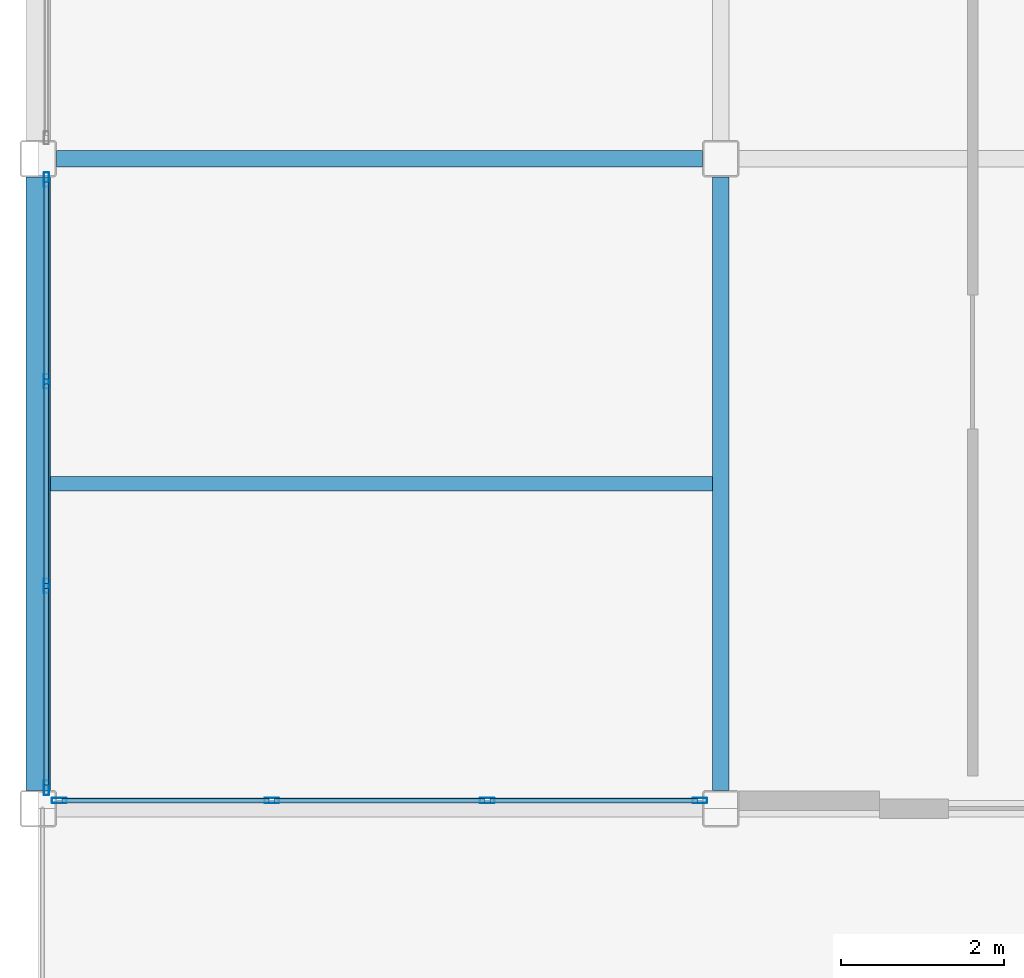
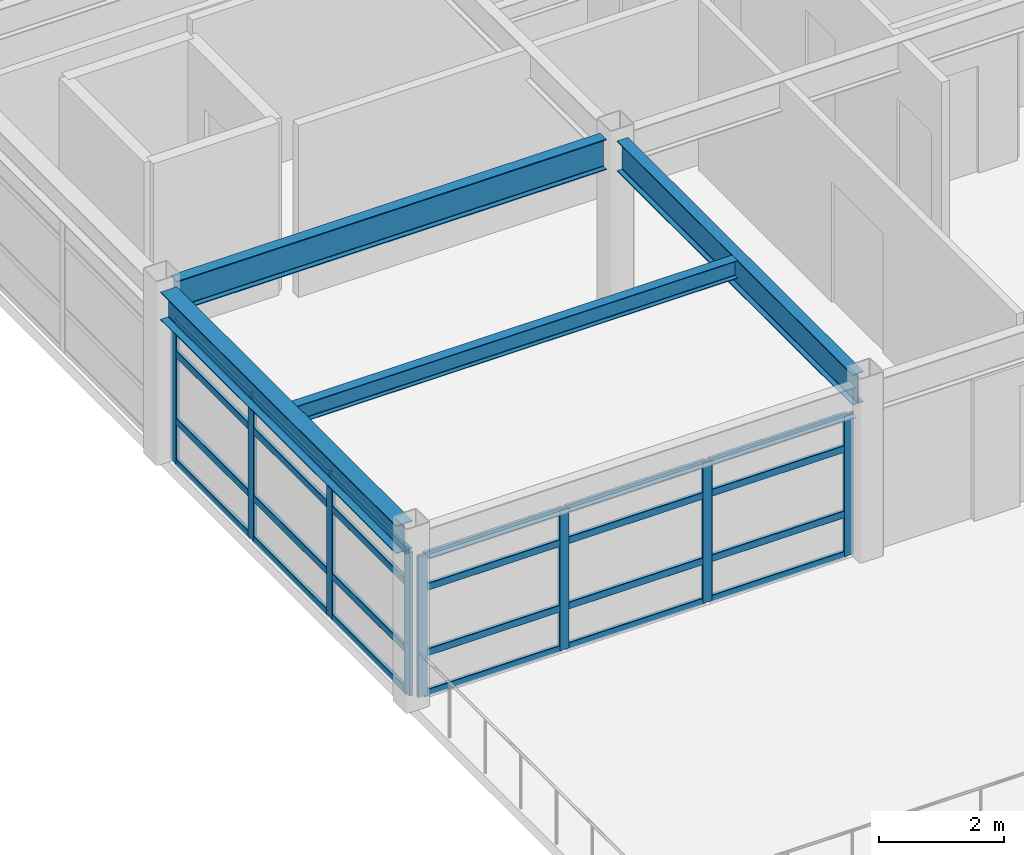
# One storey, part 4 of 28: 32 members, 4 beams, 2 elements without a shape of their own.
"""IFC4 building model written with IfcOpenShell, lengths in metres."""

import ifcopenshell
import ifcopenshell.guid

model = None  # the IFC model being written
_history = None  # IfcOwnerHistory: only IFC2X3 demands one
_inside = {}  # id of a spatial element -> (the spatial element, [elements in it])
_under = {}  # id of a project, library or spatial element -> (it, [spatial elements below it])
_declared = {}  # id of a project -> (the project, [libraries it declares])
_typed = {}  # id of a type object -> (the type object, [elements of that type])
_made_of = {}  # id of a material, layer set ... -> (it, [elements and type objects made of it])


def new_model(schema):
    """Start an empty IFC model of exactly this schema.

    Asked for "IFC4X3", IfcOpenShell would pick the latest addendum, in which some entities
    have other attributes; the version numbers below select the first issue.
    IFC2X3 requires an IfcOwnerHistory on every rooted entity: one is made here for all.
    """
    global model, _history
    if schema == "IFC4X3":
        model = ifcopenshell.file(schema_version=(4, 3, 0, 0))
    else:
        model = ifcopenshell.file(schema=schema)
    _inside.clear()
    _under.clear()
    _declared.clear()
    _typed.clear()
    _made_of.clear()
    _history = None
    if model.schema == "IFC2X3":
        org = make("IfcOrganization", Name="unknown")
        user = make(
            "IfcPersonAndOrganization",
            ThePerson=make("IfcPerson", FamilyName="unknown"),
            TheOrganization=org,
        )
        app = make(
            "IfcApplication",
            ApplicationDeveloper=org,
            Version="unknown",
            ApplicationFullName="unknown",
            ApplicationIdentifier="unknown",
        )
        _history = make(
            "IfcOwnerHistory",
            OwningUser=user,
            OwningApplication=app,
            ChangeAction="ADDED",
            CreationDate=0,
        )
    return model


def make(cls, **values):
    """One entity of the class cls with the attributes given. An attribute that is None is left unset."""
    return model.create_entity(
        cls, **{name: value for name, value in values.items() if value is not None}
    )


def rooted(cls, **values):
    """An entity with a GlobalId (a new one), such as an element, a storey or a relation."""
    return make(cls, GlobalId=ifcopenshell.guid.new(), OwnerHistory=_history, **values)


def si_unit(unit_type, name, prefix=None):
    """IfcSIUnit, for example si_unit("LENGTHUNIT", "METRE", prefix="MILLI")."""
    return make("IfcSIUnit", UnitType=unit_type, Prefix=prefix, Name=name)


def assignment(units):
    """IfcUnitAssignment: the units of a project."""
    return None if units is None else make("IfcUnitAssignment", Units=units)


def point(xyz):
    """IfcCartesianPoint."""
    return None if xyz is None else make("IfcCartesianPoint", Coordinates=xyz)


def direction(xyz):
    """IfcDirection."""
    return None if xyz is None else make("IfcDirection", DirectionRatios=xyz)


def frame(location, z_axis=None, x_axis=None):
    """IfcAxis2Placement3D, a coordinate frame: its origin and axes. An axis left out is left unset."""
    return make(
        "IfcAxis2Placement3D",
        Location=point(location),
        Axis=direction(z_axis),
        RefDirection=direction(x_axis),
    )


def frame_2d(location, x_axis=None):
    """IfcAxis2Placement2D, a coordinate frame in the plane: its origin and x axis."""
    return make(
        "IfcAxis2Placement2D", Location=point(location), RefDirection=direction(x_axis)
    )


def origin():
    """The frame at (0, 0, 0) with its axes left unset."""
    return frame((0.0, 0.0, 0.0))


def origin_2d():
    """The frame at (0, 0) in the plane with its x axis left unset."""
    return frame_2d((0.0, 0.0))


def place(relative_to, where):
    """IfcLocalPlacement: puts the frame where relative to a parent placement (None: the world)."""
    return make(
        "IfcLocalPlacement", PlacementRelTo=relative_to, RelativePlacement=where
    )


def context(
    kind, dimensions, precision=None, world=None, true_north=None, identifier=None
):
    """IfcGeometricRepresentationContext, for example the 3D "Model" context."""
    return make(
        "IfcGeometricRepresentationContext",
        ContextIdentifier=identifier,
        ContextType=kind,
        CoordinateSpaceDimension=dimensions,
        Precision=precision,
        WorldCoordinateSystem=world,
        TrueNorth=true_north,
    )


def subcontext(parent, identifier, kind, view, scale=None):
    """IfcGeometricRepresentationSubContext, for example "Body" below "Model"."""
    return make(
        "IfcGeometricRepresentationSubContext",
        ContextIdentifier=identifier,
        ContextType=kind,
        ParentContext=parent,
        TargetScale=scale,
        TargetView=view,
    )


def project(units=None, contexts=None):
    """IfcProject with its units and contexts."""
    return rooted(
        "IfcProject",
        Name="project",
        RepresentationContexts=contexts,
        UnitsInContext=assignment(units),
    )


def spatial(cls, under=None, at=None, **own):
    """A site, building, storey or space (cls), placed at a placement, below another one or the project."""
    s = rooted(cls, ObjectPlacement=at, **own)
    if under is not None:
        _under.setdefault(under.id(), (under, []))[1].append(s)
    return s


def profile(cls, at=None, kind="AREA", **sizes):
    """A parametric profile (cls). Its sizes go by their IFC names, for example OverallWidth=200.0."""
    return make(cls, ProfileType=kind, Position=at, **sizes)


def hollow_rectangle(**sizes):
    """IfcRectangleHollowProfileDef."""
    return profile("IfcRectangleHollowProfileDef", **sizes)


def i_section(**sizes):
    """IfcIShapeProfileDef."""
    return profile("IfcIShapeProfileDef", **sizes)


def extrude(swept, where, along, depth):
    """IfcExtrudedAreaSolid: the profile swept, set in the frame where, extruded along a direction by depth."""
    return make(
        "IfcExtrudedAreaSolid",
        SweptArea=swept,
        Position=where,
        ExtrudedDirection=direction(along),
        Depth=depth,
    )


def shape(context_of_items, identifier, shape_type, items):
    """IfcShapeRepresentation: the items that make up one representation, for example the "Body"."""
    return make(
        "IfcShapeRepresentation",
        ContextOfItems=context_of_items,
        RepresentationIdentifier=identifier,
        RepresentationType=shape_type,
        Items=items,
    )


def material(Name=None, Category=None):
    """IfcMaterial."""
    return make("IfcMaterial", Name=Name, Category=Category)


def layer(
    of_material, thickness, ventilated=None, Name=None, Category=None, Priority=None
):
    """IfcMaterialLayer: one layer of a wall or slab, of a material (None: an air gap)."""
    return make(
        "IfcMaterialLayer",
        Material=of_material,
        LayerThickness=thickness,
        IsVentilated=ventilated,
        Name=Name,
        Category=Category,
        Priority=Priority,
    )


def layer_set(layers, Name=None):
    """IfcMaterialLayerSet."""
    return make("IfcMaterialLayerSet", MaterialLayers=layers, LayerSetName=Name)


def material_profile(
    of_material, cross_section, Name=None, Category=None, Priority=None
):
    """IfcMaterialProfile: a cross section and its material."""
    return make(
        "IfcMaterialProfile",
        Name=Name,
        Material=of_material,
        Profile=cross_section,
        Priority=Priority,
        Category=Category,
    )


def profile_set(profiles, Name=None, composite=None):
    """IfcMaterialProfileSet."""
    return make(
        "IfcMaterialProfileSet",
        Name=Name,
        MaterialProfiles=profiles,
        CompositeProfile=composite,
    )


def made_of(thing, what):
    """Note that an element or type object is made of a material, layer set ...; save() writes the relation."""
    if what is not None:
        _made_of.setdefault(what.id(), (what, []))[1].append(thing)
    return thing


def type_object(cls, material=None, **own):
    """A type object (cls), such as IfcWallType, which elements share."""
    return made_of(rooted(cls, **own), material)


def element(
    cls,
    number,
    at=None,
    inside=None,
    cuts=None,
    type_object=None,
    material=None,
    context=None,
    identifier="Body",
    shape_type=None,
    held_by="IfcProductDefinitionShape",
    body=None,
    shapes=None,
    **own,
):
    """One element of the class cls, such as IfcWall. Its Tag is "e" and its number.

    at: its placement. inside: the storey or other place that contains it. cuts: it is an
    opening in that element (IfcRelVoidsElement). A single representation is given by context,
    identifier, shape_type and body (its items); several are given by shapes. held_by: the class
    of the entity that holds the representations. save() writes the other relations.
    """
    e = rooted(cls, Tag="e%d" % number, ObjectPlacement=at, **own)
    if body is not None:
        shapes = [shape(context, identifier, shape_type, body)]
    if shapes is not None:
        e.Representation = make(held_by, Representations=shapes)
    if inside is not None:
        _inside.setdefault(inside.id(), (inside, []))[1].append(e)
    if cuts is not None:
        rooted(
            "IfcRelVoidsElement", RelatingBuildingElement=cuts, RelatedOpeningElement=e
        )
    if type_object is not None:
        _typed.setdefault(type_object.id(), (type_object, []))[1].append(e)
    return made_of(e, material)


def aggregate(whole, parts):
    """IfcRelAggregates: a whole, such as a stair, and the parts it consists of."""
    return rooted("IfcRelAggregates", RelatingObject=whole, RelatedObjects=parts)


def save(model, path):
    """Write the relations noted so far, then the file.

    IfcRelAggregates (storeys below a building ...), IfcRelContainedInSpatialStructure (elements
    in a storey), IfcRelDefinesByType, IfcRelAssociatesMaterial and IfcRelDeclares: one each for
    every whole, place, type object, material and project.
    """
    for whole, parts in _under.values():
        aggregate(whole, parts)
    for where, things in _inside.values():
        rooted(
            "IfcRelContainedInSpatialStructure",
            RelatedElements=things,
            RelatingStructure=where,
        )
    for kind, things in _typed.values():
        rooted("IfcRelDefinesByType", RelatedObjects=things, RelatingType=kind)
    for what, things in _made_of.values():
        rooted("IfcRelAssociatesMaterial", RelatedObjects=things, RelatingMaterial=what)
    for by, libraries in _declared.values():
        rooted("IfcRelDeclares", RelatingContext=by, RelatedDefinitions=libraries)
    model.write(path)


model = new_model("IFC4")

# Units and contexts
model_context = context("Model", 3, precision=1e-05, world=origin(), true_north=direction((0.0, 1.0)))
body_context = subcontext(model_context, "Body", "Model", "MODEL_VIEW")
ifc_project = project(units=[si_unit("LENGTHUNIT", "METRE"), si_unit("AREAUNIT", "SQUARE_METRE"), si_unit("VOLUMEUNIT", "CUBIC_METRE"), si_unit("PLANEANGLEUNIT", "RADIAN"), si_unit("MASSUNIT", "GRAM", prefix="KILO")], contexts=[model_context])

# Site, building, storey
site_placement = place(None, origin())
site = spatial("IfcSite", under=ifc_project, at=site_placement, CompositionType="ELEMENT")
building_placement = place(site_placement, origin())
building = spatial("IfcBuilding", under=site, at=building_placement, Name="Kazehara Bluff Congress Hotel", CompositionType="ELEMENT")
storey_placement = place(building_placement, frame((0.0, 0.0, 42.60009765625)))
storey = spatial("IfcBuildingStorey", under=building, at=storey_placement, Name="L10", CompositionType="ELEMENT", Elevation=42.60009765625)

# Curtain wall, members
ifc_material_1 = material(Name="Anodised aluminium", Category="aluminium")
ifc_layer_1 = layer(ifc_material_1, 0.159912109375)
ifc_layer_set_1 = layer_set([ifc_layer_1], Name="Anodised aluminium")
curtain_wall_type_1 = type_object("IfcCurtainWallType", Name="TP-CW-196", PredefinedType="NOTDEFINED", material=ifc_layer_set_1)
curtain_wall_1_placement = place(storey_placement, origin())
curtain_wall_1 = element("IfcCurtainWall", 1, at=curtain_wall_1_placement, inside=storey, type_object=curtain_wall_type_1, Name="L10 curtain wall CW-196 CW-ENC-V5-L10-14790-1610", PredefinedType="NOTDEFINED")
ifc_material_2 = material(Name="Anodised aluminium", Category="aluminium")
ifc_material_profile_1 = material_profile(ifc_material_2, hollow_rectangle(XDim=0.06494140625, YDim=0.179931640625, WallThickness=0.00390625, InnerFilletRadius=0.00390625, OuterFilletRadius=0.008056640625, at=origin_2d()))
ifc_profile_set_1 = profile_set([ifc_material_profile_1], Name="Anodised aluminium")
member_type_1 = type_object("IfcMemberType", Name="TP-CWM-02", PredefinedType="MULLION", material=ifc_profile_set_1)
member_1_placement = place(storey_placement, frame((151.842529296875, 16.10009765625, 0.0), z_axis=(0.0, 0.0, 1.0), x_axis=(0.0, -1.0, 0.0)))
member_1 = element("IfcMember", 2, at=member_1_placement, type_object=member_type_1, Name="CW-196 mullion 1", PredefinedType="MULLION", context=body_context, shape_type="SweptSolid", body=[
    extrude(hollow_rectangle(XDim=0.06494140625, YDim=0.179931640625, WallThickness=0.00390625, InnerFilletRadius=0.00390625, OuterFilletRadius=0.008056640625, at=origin_2d()), origin(), (0.0, 0.0, 1.0), 2.7548828125),
])
member_2_placement = place(storey_placement, frame((149.22509765625, 16.10009765625, 0.0), z_axis=(0.0, 0.0, 1.0), x_axis=(0.0, -1.0, 0.0)))
member_2 = element("IfcMember", 3, at=member_2_placement, type_object=member_type_1, Name="CW-196 mullion 2", PredefinedType="MULLION", context=body_context, shape_type="SweptSolid", body=[
    extrude(hollow_rectangle(XDim=0.06494140625, YDim=0.179931640625, WallThickness=0.00390625, InnerFilletRadius=0.00390625, OuterFilletRadius=0.008056640625, at=origin_2d()), origin(), (0.0, 0.0, 1.0), 2.7548828125),
])
member_3_placement = place(storey_placement, frame((146.574951171875, 16.10009765625, 0.0), z_axis=(0.0, 0.0, 1.0), x_axis=(0.0, -1.0, 0.0)))
member_3 = element("IfcMember", 4, at=member_3_placement, type_object=member_type_1, Name="CW-196 mullion 3", PredefinedType="MULLION", context=body_context, shape_type="SweptSolid", body=[
    extrude(hollow_rectangle(XDim=0.06494140625, YDim=0.179931640625, WallThickness=0.00390625, InnerFilletRadius=0.00390625, OuterFilletRadius=0.008056640625, at=origin_2d()), origin(), (0.0, 0.0, 1.0), 2.7548828125),
])
member_4_placement = place(storey_placement, frame((143.95751953125, 16.10009765625, 0.0), z_axis=(0.0, 0.0, 1.0), x_axis=(0.0, -1.0, 0.0)))
member_4 = element("IfcMember", 5, at=member_4_placement, type_object=member_type_1, Name="CW-196 mullion 4", PredefinedType="MULLION", context=body_context, shape_type="SweptSolid", body=[
    extrude(hollow_rectangle(XDim=0.06494140625, YDim=0.179931640625, WallThickness=0.00390625, InnerFilletRadius=0.00390625, OuterFilletRadius=0.008056640625, at=origin_2d()), origin(), (0.0, 0.0, 1.0), 2.7548828125),
])

ifc_material_3 = material(Name="Anodised aluminium", Category="aluminium")
ifc_layer_2 = layer(ifc_material_3, 0.159912109375)
ifc_layer_set_2 = layer_set([ifc_layer_2], Name="Anodised aluminium")
curtain_wall_type_2 = type_object("IfcCurtainWallType", Name="TP-CW-201", PredefinedType="NOTDEFINED", material=ifc_layer_set_2)
curtain_wall_2_placement = place(storey_placement, origin())
curtain_wall_2 = element("IfcCurtainWall", 6, at=curtain_wall_2_placement, inside=storey, type_object=curtain_wall_type_2, Name="L10 curtain wall CW-201 CW-ENC-V5-L10-14380-2000", PredefinedType="NOTDEFINED")
member_5_placement = place(storey_placement, frame((143.800048828125, 16.257568359375, 0.0), z_axis=(0.0, 0.0, 1.0), x_axis=(-1.0, 0.0, 0.0)))
member_5 = element("IfcMember", 7, at=member_5_placement, type_object=member_type_1, Name="CW-201 mullion 1", PredefinedType="MULLION", context=body_context, shape_type="SweptSolid", body=[
    extrude(hollow_rectangle(XDim=0.06494140625, YDim=0.179931640625, WallThickness=0.00390625, InnerFilletRadius=0.00390625, OuterFilletRadius=0.008056640625, at=origin_2d()), origin(), (0.0, 0.0, 1.0), 2.804931640625),
])
member_6_placement = place(storey_placement, frame((143.800048828125, 18.74169921875, 0.0), z_axis=(0.0, 0.0, 1.0), x_axis=(-1.0, 0.0, 0.0)))
member_6 = element("IfcMember", 8, at=member_6_placement, type_object=member_type_1, Name="CW-201 mullion 2", PredefinedType="MULLION", context=body_context, shape_type="SweptSolid", body=[
    extrude(hollow_rectangle(XDim=0.06494140625, YDim=0.179931640625, WallThickness=0.00390625, InnerFilletRadius=0.00390625, OuterFilletRadius=0.008056640625, at=origin_2d()), origin(), (0.0, 0.0, 1.0), 2.804931640625),
])
member_7_placement = place(storey_placement, frame((143.800048828125, 21.25830078125, 0.0), z_axis=(0.0, 0.0, 1.0), x_axis=(-1.0, 0.0, 0.0)))
member_7 = element("IfcMember", 9, at=member_7_placement, type_object=member_type_1, Name="CW-201 mullion 3", PredefinedType="MULLION", context=body_context, shape_type="SweptSolid", body=[
    extrude(hollow_rectangle(XDim=0.06494140625, YDim=0.179931640625, WallThickness=0.00390625, InnerFilletRadius=0.00390625, OuterFilletRadius=0.008056640625, at=origin_2d()), origin(), (0.0, 0.0, 1.0), 2.804931640625),
])
member_8_placement = place(storey_placement, frame((143.800048828125, 23.742431640625, 0.0), z_axis=(0.0, 0.0, 1.0), x_axis=(-1.0, 0.0, 0.0)))
member_8 = element("IfcMember", 10, at=member_8_placement, type_object=member_type_1, Name="CW-201 mullion 4", PredefinedType="MULLION", context=body_context, shape_type="SweptSolid", body=[
    extrude(hollow_rectangle(XDim=0.06494140625, YDim=0.179931640625, WallThickness=0.00390625, InnerFilletRadius=0.00390625, OuterFilletRadius=0.008056640625, at=origin_2d()), origin(), (0.0, 0.0, 1.0), 2.804931640625),
])

# Member
ifc_material_4 = material(Name="Anodised aluminium", Category="aluminium")
ifc_material_profile_2 = material_profile(ifc_material_4, hollow_rectangle(XDim=0.06494140625, YDim=0.139892578125, WallThickness=0.00390625, InnerFilletRadius=0.00390625, OuterFilletRadius=0.008056640625, at=origin_2d()))
ifc_profile_set_2 = profile_set([ifc_material_profile_2], Name="Anodised aluminium")
member_type_2 = type_object("IfcMemberType", Name="TP-CWT-02", PredefinedType="USERDEFINED", material=ifc_profile_set_2)
member_9_placement = place(storey_placement, frame((151.81005859375, 16.10009765625, 0.032470703125), z_axis=(-1.0, 0.0, 0.0), x_axis=(0.0, -1.0, 0.0)))
member_9 = element("IfcMember", 11, at=member_9_placement, type_object=member_type_2, Name="CW-196 transom 1.1", ObjectType="TRANSOM", PredefinedType="USERDEFINED", context=body_context, shape_type="SweptSolid", body=[
    extrude(hollow_rectangle(XDim=0.06494140625, YDim=0.139892578125, WallThickness=0.00390625, InnerFilletRadius=0.00390625, OuterFilletRadius=0.008056640625, at=origin_2d()), origin(), (0.0, 0.0, 1.0), 2.552490234375),
])

member_10_placement = place(storey_placement, frame((151.81005859375, 16.10009765625, 0.824951171875), z_axis=(-1.0, 0.0, 0.0), x_axis=(0.0, -1.0, 0.0)))
member_10 = element("IfcMember", 12, at=member_10_placement, type_object=member_type_2, Name="CW-196 transom 1.2", ObjectType="TRANSOM", PredefinedType="USERDEFINED", context=body_context, shape_type="SweptSolid", body=[
    extrude(hollow_rectangle(XDim=0.06494140625, YDim=0.139892578125, WallThickness=0.00390625, InnerFilletRadius=0.00390625, OuterFilletRadius=0.008056640625, at=origin_2d()), origin(), (0.0, 0.0, 1.0), 2.552490234375),
])

member_11_placement = place(storey_placement, frame((151.81005859375, 16.10009765625, 2.10498046875), z_axis=(-1.0, 0.0, 0.0), x_axis=(0.0, -1.0, 0.0)))
member_11 = element("IfcMember", 13, at=member_11_placement, type_object=member_type_2, Name="CW-196 transom 1.3", ObjectType="TRANSOM", PredefinedType="USERDEFINED", context=body_context, shape_type="SweptSolid", body=[
    extrude(hollow_rectangle(XDim=0.06494140625, YDim=0.139892578125, WallThickness=0.00390625, InnerFilletRadius=0.00390625, OuterFilletRadius=0.008056640625, at=origin_2d()), origin(), (0.0, 0.0, 1.0), 2.552490234375),
])

member_12_placement = place(storey_placement, frame((151.81005859375, 16.10009765625, 2.722412109375), z_axis=(-1.0, 0.0, 0.0), x_axis=(0.0, -1.0, 0.0)))
member_12 = element("IfcMember", 14, at=member_12_placement, type_object=member_type_2, Name="CW-196 transom 1.4", ObjectType="TRANSOM", PredefinedType="USERDEFINED", context=body_context, shape_type="SweptSolid", body=[
    extrude(hollow_rectangle(XDim=0.06494140625, YDim=0.139892578125, WallThickness=0.00390625, InnerFilletRadius=0.00390625, OuterFilletRadius=0.008056640625, at=origin_2d()), origin(), (0.0, 0.0, 1.0), 2.552490234375),
])

member_13_placement = place(storey_placement, frame((149.1923828125, 16.10009765625, 0.032470703125), z_axis=(-1.0, 0.0, 0.0), x_axis=(0.0, -1.0, 0.0)))
member_13 = element("IfcMember", 15, at=member_13_placement, type_object=member_type_2, Name="CW-196 transom 2.1", ObjectType="TRANSOM", PredefinedType="USERDEFINED", context=body_context, shape_type="SweptSolid", body=[
    extrude(hollow_rectangle(XDim=0.06494140625, YDim=0.139892578125, WallThickness=0.00390625, InnerFilletRadius=0.00390625, OuterFilletRadius=0.008056640625, at=origin_2d()), origin(), (0.0, 0.0, 1.0), 2.5849609375),
])

member_14_placement = place(storey_placement, frame((149.1923828125, 16.10009765625, 0.824951171875), z_axis=(-1.0, 0.0, 0.0), x_axis=(0.0, -1.0, 0.0)))
member_14 = element("IfcMember", 16, at=member_14_placement, type_object=member_type_2, Name="CW-196 transom 2.2", ObjectType="TRANSOM", PredefinedType="USERDEFINED", context=body_context, shape_type="SweptSolid", body=[
    extrude(hollow_rectangle(XDim=0.06494140625, YDim=0.139892578125, WallThickness=0.00390625, InnerFilletRadius=0.00390625, OuterFilletRadius=0.008056640625, at=origin_2d()), origin(), (0.0, 0.0, 1.0), 2.5849609375),
])

member_15_placement = place(storey_placement, frame((149.1923828125, 16.10009765625, 2.10498046875), z_axis=(-1.0, 0.0, 0.0), x_axis=(0.0, -1.0, 0.0)))
member_15 = element("IfcMember", 17, at=member_15_placement, type_object=member_type_2, Name="CW-196 transom 2.3", ObjectType="TRANSOM", PredefinedType="USERDEFINED", context=body_context, shape_type="SweptSolid", body=[
    extrude(hollow_rectangle(XDim=0.06494140625, YDim=0.139892578125, WallThickness=0.00390625, InnerFilletRadius=0.00390625, OuterFilletRadius=0.008056640625, at=origin_2d()), origin(), (0.0, 0.0, 1.0), 2.5849609375),
])

member_16_placement = place(storey_placement, frame((149.1923828125, 16.10009765625, 2.722412109375), z_axis=(-1.0, 0.0, 0.0), x_axis=(0.0, -1.0, 0.0)))
member_16 = element("IfcMember", 18, at=member_16_placement, type_object=member_type_2, Name="CW-196 transom 2.4", ObjectType="TRANSOM", PredefinedType="USERDEFINED", context=body_context, shape_type="SweptSolid", body=[
    extrude(hollow_rectangle(XDim=0.06494140625, YDim=0.139892578125, WallThickness=0.00390625, InnerFilletRadius=0.00390625, OuterFilletRadius=0.008056640625, at=origin_2d()), origin(), (0.0, 0.0, 1.0), 2.5849609375),
])

member_17_placement = place(storey_placement, frame((146.54248046875, 16.10009765625, 0.032470703125), z_axis=(-1.0, 0.0, 0.0), x_axis=(0.0, -1.0, 0.0)))
member_17 = element("IfcMember", 19, at=member_17_placement, type_object=member_type_2, Name="CW-196 transom 3.1", ObjectType="TRANSOM", PredefinedType="USERDEFINED", context=body_context, shape_type="SweptSolid", body=[
    extrude(hollow_rectangle(XDim=0.06494140625, YDim=0.139892578125, WallThickness=0.00390625, InnerFilletRadius=0.00390625, OuterFilletRadius=0.008056640625, at=origin_2d()), origin(), (0.0, 0.0, 1.0), 2.552490234375),
])

member_18_placement = place(storey_placement, frame((146.54248046875, 16.10009765625, 0.824951171875), z_axis=(-1.0, 0.0, 0.0), x_axis=(0.0, -1.0, 0.0)))
member_18 = element("IfcMember", 20, at=member_18_placement, type_object=member_type_2, Name="CW-196 transom 3.2", ObjectType="TRANSOM", PredefinedType="USERDEFINED", context=body_context, shape_type="SweptSolid", body=[
    extrude(hollow_rectangle(XDim=0.06494140625, YDim=0.139892578125, WallThickness=0.00390625, InnerFilletRadius=0.00390625, OuterFilletRadius=0.008056640625, at=origin_2d()), origin(), (0.0, 0.0, 1.0), 2.552490234375),
])

member_19_placement = place(storey_placement, frame((146.54248046875, 16.10009765625, 2.10498046875), z_axis=(-1.0, 0.0, 0.0), x_axis=(0.0, -1.0, 0.0)))
member_19 = element("IfcMember", 21, at=member_19_placement, type_object=member_type_2, Name="CW-196 transom 3.3", ObjectType="TRANSOM", PredefinedType="USERDEFINED", context=body_context, shape_type="SweptSolid", body=[
    extrude(hollow_rectangle(XDim=0.06494140625, YDim=0.139892578125, WallThickness=0.00390625, InnerFilletRadius=0.00390625, OuterFilletRadius=0.008056640625, at=origin_2d()), origin(), (0.0, 0.0, 1.0), 2.552490234375),
])

member_20_placement = place(storey_placement, frame((146.54248046875, 16.10009765625, 2.722412109375), z_axis=(-1.0, 0.0, 0.0), x_axis=(0.0, -1.0, 0.0)))
member_20 = element("IfcMember", 22, at=member_20_placement, type_object=member_type_2, Name="CW-196 transom 3.4", ObjectType="TRANSOM", PredefinedType="USERDEFINED", context=body_context, shape_type="SweptSolid", body=[
    extrude(hollow_rectangle(XDim=0.06494140625, YDim=0.139892578125, WallThickness=0.00390625, InnerFilletRadius=0.00390625, OuterFilletRadius=0.008056640625, at=origin_2d()), origin(), (0.0, 0.0, 1.0), 2.552490234375),
])

aggregate(curtain_wall_1, [member_1, member_2, member_3, member_4, member_9, member_10, member_11, member_12, member_13, member_14, member_15, member_16, member_17, member_18, member_19, member_20])

member_21_placement = place(storey_placement, frame((143.800048828125, 16.2900390625, 0.032470703125), z_axis=(0.0, 1.0, 0.0), x_axis=(-1.0, 0.0, 0.0)))
member_21 = element("IfcMember", 23, at=member_21_placement, type_object=member_type_2, Name="CW-201 transom 1.1", ObjectType="TRANSOM", PredefinedType="USERDEFINED", context=body_context, shape_type="SweptSolid", body=[
    extrude(hollow_rectangle(XDim=0.06494140625, YDim=0.139892578125, WallThickness=0.00390625, InnerFilletRadius=0.00390625, OuterFilletRadius=0.008056640625, at=origin_2d()), origin(), (0.0, 0.0, 1.0), 2.419189453125),
])

member_22_placement = place(storey_placement, frame((143.800048828125, 16.2900390625, 0.83984375), z_axis=(0.0, 1.0, 0.0), x_axis=(-1.0, 0.0, 0.0)))
member_22 = element("IfcMember", 24, at=member_22_placement, type_object=member_type_2, Name="CW-201 transom 1.2", ObjectType="TRANSOM", PredefinedType="USERDEFINED", context=body_context, shape_type="SweptSolid", body=[
    extrude(hollow_rectangle(XDim=0.06494140625, YDim=0.139892578125, WallThickness=0.00390625, InnerFilletRadius=0.00390625, OuterFilletRadius=0.008056640625, at=origin_2d()), origin(), (0.0, 0.0, 1.0), 2.419189453125),
])

member_23_placement = place(storey_placement, frame((143.800048828125, 16.2900390625, 2.15478515625), z_axis=(0.0, 1.0, 0.0), x_axis=(-1.0, 0.0, 0.0)))
member_23 = element("IfcMember", 25, at=member_23_placement, type_object=member_type_2, Name="CW-201 transom 1.3", ObjectType="TRANSOM", PredefinedType="USERDEFINED", context=body_context, shape_type="SweptSolid", body=[
    extrude(hollow_rectangle(XDim=0.06494140625, YDim=0.139892578125, WallThickness=0.00390625, InnerFilletRadius=0.00390625, OuterFilletRadius=0.008056640625, at=origin_2d()), origin(), (0.0, 0.0, 1.0), 2.419189453125),
])

member_24_placement = place(storey_placement, frame((143.800048828125, 16.2900390625, 2.7724609375), z_axis=(0.0, 1.0, 0.0), x_axis=(-1.0, 0.0, 0.0)))
member_24 = element("IfcMember", 26, at=member_24_placement, type_object=member_type_2, Name="CW-201 transom 1.4", ObjectType="TRANSOM", PredefinedType="USERDEFINED", context=body_context, shape_type="SweptSolid", body=[
    extrude(hollow_rectangle(XDim=0.06494140625, YDim=0.139892578125, WallThickness=0.00390625, InnerFilletRadius=0.00390625, OuterFilletRadius=0.008056640625, at=origin_2d()), origin(), (0.0, 0.0, 1.0), 2.419189453125),
])

member_25_placement = place(storey_placement, frame((143.800048828125, 18.774169921875, 0.032470703125), z_axis=(0.0, 1.0, 0.0), x_axis=(-1.0, 0.0, 0.0)))
member_25 = element("IfcMember", 27, at=member_25_placement, type_object=member_type_2, Name="CW-201 transom 2.1", ObjectType="TRANSOM", PredefinedType="USERDEFINED", context=body_context, shape_type="SweptSolid", body=[
    extrude(hollow_rectangle(XDim=0.06494140625, YDim=0.139892578125, WallThickness=0.00390625, InnerFilletRadius=0.00390625, OuterFilletRadius=0.008056640625, at=origin_2d()), origin(), (0.0, 0.0, 1.0), 2.45166015625),
])

member_26_placement = place(storey_placement, frame((143.800048828125, 18.774169921875, 0.83984375), z_axis=(0.0, 1.0, 0.0), x_axis=(-1.0, 0.0, 0.0)))
member_26 = element("IfcMember", 28, at=member_26_placement, type_object=member_type_2, Name="CW-201 transom 2.2", ObjectType="TRANSOM", PredefinedType="USERDEFINED", context=body_context, shape_type="SweptSolid", body=[
    extrude(hollow_rectangle(XDim=0.06494140625, YDim=0.139892578125, WallThickness=0.00390625, InnerFilletRadius=0.00390625, OuterFilletRadius=0.008056640625, at=origin_2d()), origin(), (0.0, 0.0, 1.0), 2.45166015625),
])

member_27_placement = place(storey_placement, frame((143.800048828125, 18.774169921875, 2.15478515625), z_axis=(0.0, 1.0, 0.0), x_axis=(-1.0, 0.0, 0.0)))
member_27 = element("IfcMember", 29, at=member_27_placement, type_object=member_type_2, Name="CW-201 transom 2.3", ObjectType="TRANSOM", PredefinedType="USERDEFINED", context=body_context, shape_type="SweptSolid", body=[
    extrude(hollow_rectangle(XDim=0.06494140625, YDim=0.139892578125, WallThickness=0.00390625, InnerFilletRadius=0.00390625, OuterFilletRadius=0.008056640625, at=origin_2d()), origin(), (0.0, 0.0, 1.0), 2.45166015625),
])

member_28_placement = place(storey_placement, frame((143.800048828125, 18.774169921875, 2.7724609375), z_axis=(0.0, 1.0, 0.0), x_axis=(-1.0, 0.0, 0.0)))
member_28 = element("IfcMember", 30, at=member_28_placement, type_object=member_type_2, Name="CW-201 transom 2.4", ObjectType="TRANSOM", PredefinedType="USERDEFINED", context=body_context, shape_type="SweptSolid", body=[
    extrude(hollow_rectangle(XDim=0.06494140625, YDim=0.139892578125, WallThickness=0.00390625, InnerFilletRadius=0.00390625, OuterFilletRadius=0.008056640625, at=origin_2d()), origin(), (0.0, 0.0, 1.0), 2.45166015625),
])

member_29_placement = place(storey_placement, frame((143.800048828125, 21.290771484375, 0.032470703125), z_axis=(0.0, 1.0, 0.0), x_axis=(-1.0, 0.0, 0.0)))
member_29 = element("IfcMember", 31, at=member_29_placement, type_object=member_type_2, Name="CW-201 transom 3.1", ObjectType="TRANSOM", PredefinedType="USERDEFINED", context=body_context, shape_type="SweptSolid", body=[
    extrude(hollow_rectangle(XDim=0.06494140625, YDim=0.139892578125, WallThickness=0.00390625, InnerFilletRadius=0.00390625, OuterFilletRadius=0.008056640625, at=origin_2d()), origin(), (0.0, 0.0, 1.0), 2.419189453125),
])

member_30_placement = place(storey_placement, frame((143.800048828125, 21.290771484375, 0.83984375), z_axis=(0.0, 1.0, 0.0), x_axis=(-1.0, 0.0, 0.0)))
member_30 = element("IfcMember", 32, at=member_30_placement, type_object=member_type_2, Name="CW-201 transom 3.2", ObjectType="TRANSOM", PredefinedType="USERDEFINED", context=body_context, shape_type="SweptSolid", body=[
    extrude(hollow_rectangle(XDim=0.06494140625, YDim=0.139892578125, WallThickness=0.00390625, InnerFilletRadius=0.00390625, OuterFilletRadius=0.008056640625, at=origin_2d()), origin(), (0.0, 0.0, 1.0), 2.419189453125),
])

member_31_placement = place(storey_placement, frame((143.800048828125, 21.290771484375, 2.15478515625), z_axis=(0.0, 1.0, 0.0), x_axis=(-1.0, 0.0, 0.0)))
member_31 = element("IfcMember", 33, at=member_31_placement, type_object=member_type_2, Name="CW-201 transom 3.3", ObjectType="TRANSOM", PredefinedType="USERDEFINED", context=body_context, shape_type="SweptSolid", body=[
    extrude(hollow_rectangle(XDim=0.06494140625, YDim=0.139892578125, WallThickness=0.00390625, InnerFilletRadius=0.00390625, OuterFilletRadius=0.008056640625, at=origin_2d()), origin(), (0.0, 0.0, 1.0), 2.419189453125),
])

member_32_placement = place(storey_placement, frame((143.800048828125, 21.290771484375, 2.7724609375), z_axis=(0.0, 1.0, 0.0), x_axis=(-1.0, 0.0, 0.0)))
member_32 = element("IfcMember", 34, at=member_32_placement, type_object=member_type_2, Name="CW-201 transom 3.4", ObjectType="TRANSOM", PredefinedType="USERDEFINED", context=body_context, shape_type="SweptSolid", body=[
    extrude(hollow_rectangle(XDim=0.06494140625, YDim=0.139892578125, WallThickness=0.00390625, InnerFilletRadius=0.00390625, OuterFilletRadius=0.008056640625, at=origin_2d()), origin(), (0.0, 0.0, 1.0), 2.419189453125),
])

aggregate(curtain_wall_2, [member_5, member_6, member_7, member_8, member_21, member_22, member_23, member_24, member_25, member_26, member_27, member_28, member_29, member_30, member_31, member_32])

# Beams
ifc_material_5 = material(Name="Steel SN490B", Category="steel")
ifc_material_profile_3 = material_profile(ifc_material_5, i_section(OverallWidth=0.199951171875, OverallDepth=0.60009765625, WebThickness=0.010986328125, FlangeThickness=0.01708984375, FilletRadius=0.012939453125, at=origin_2d()))
ifc_profile_set_3 = profile_set([ifc_material_profile_3], Name="Steel SN490B")
beam_type_1 = type_object("IfcBeamType", Name="TP-G-02", PredefinedType="BEAM", material=ifc_profile_set_3)
beam_1_placement = place(storey_placement, frame((152.10009765625, 16.22509765625, 3.079833984375), z_axis=(0.0, 1.0, 0.0), x_axis=(-1.0, 0.0, 0.0)))
element("IfcBeam", 35, at=beam_1_placement, inside=storey, type_object=beam_type_1, Name="L10 girder G-02 8", PredefinedType="BEAM", context=body_context, shape_type="SweptSolid", body=[
    extrude(i_section(OverallWidth=0.199951171875, OverallDepth=0.60009765625, WebThickness=0.010986328125, FlangeThickness=0.01708984375, FilletRadius=0.012939453125, at=origin_2d()), origin(), (0.0, 0.0, 1.0), 7.5498046875),
])
beam_2_placement = place(storey_placement, frame((143.925048828125, 24.0, 3.079833984375), z_axis=(1.0, 0.0, 0.0), x_axis=(0.0, 1.0, 0.0)))
element("IfcBeam", 36, at=beam_2_placement, inside=storey, type_object=beam_type_1, Name="L10 girder G-02 28", PredefinedType="BEAM", context=body_context, shape_type="SweptSolid", body=[
    extrude(i_section(OverallWidth=0.199951171875, OverallDepth=0.60009765625, WebThickness=0.010986328125, FlangeThickness=0.01708984375, FilletRadius=0.012939453125, at=origin_2d()), origin(), (0.0, 0.0, 1.0), 7.949951171875),
])
ifc_material_6 = material(Name="Steel SN400B", Category="steel")
ifc_material_profile_4 = material_profile(ifc_material_6, i_section(OverallWidth=0.175048828125, OverallDepth=0.35009765625, WebThickness=0.007080078125, FlangeThickness=0.010986328125, FilletRadius=0.012939453125, at=origin_2d()))
ifc_profile_set_4 = profile_set([ifc_material_profile_4], Name="Steel SN400B")
beam_type_2 = type_object("IfcBeamType", Name="TP-J-02", PredefinedType="JOIST", material=ifc_profile_set_4)
beam_3_placement = place(storey_placement, frame((143.85009765625, 20.0, 3.204833984375), z_axis=(1.0, 0.0, 0.0), x_axis=(0.0, 1.0, 0.0)))
element("IfcBeam", 37, at=beam_3_placement, inside=storey, type_object=beam_type_2, Name="L10 secondary joist J-02 1", PredefinedType="JOIST", context=body_context, shape_type="SweptSolid", body=[
    extrude(i_section(OverallWidth=0.175048828125, OverallDepth=0.35009765625, WebThickness=0.007080078125, FlangeThickness=0.010986328125, FilletRadius=0.012939453125, at=origin_2d()), origin(), (0.0, 0.0, 1.0), 8.14990234375),
])
ifc_material_7 = material(Name="Steel SN490B", Category="steel")
ifc_material_profile_5 = material_profile(ifc_material_7, i_section(OverallWidth=0.300048828125, OverallDepth=0.550048828125, WebThickness=0.010986328125, FlangeThickness=0.01806640625, FilletRadius=0.012939453125, at=origin_2d()))
ifc_profile_set_5 = profile_set([ifc_material_profile_5], Name="Steel SN490B")
beam_type_3 = type_object("IfcBeamType", Name="TP-SP-01", PredefinedType="SPANDREL", material=ifc_profile_set_5)
beam_4_placement = place(storey_placement, frame((143.699951171875, 16.22509765625, 3.10498046875), z_axis=(0.0, 1.0, 0.0), x_axis=(-1.0, 0.0, 0.0)))
element("IfcBeam", 38, at=beam_4_placement, inside=storey, type_object=beam_type_3, Name="L10 girder SP-01 1", PredefinedType="SPANDREL", context=body_context, shape_type="SweptSolid", body=[
    extrude(i_section(OverallWidth=0.300048828125, OverallDepth=0.550048828125, WebThickness=0.010986328125, FlangeThickness=0.01806640625, FilletRadius=0.012939453125, at=origin_2d()), origin(), (0.0, 0.0, 1.0), 7.5498046875),
])

save(model, "model.ifc")
